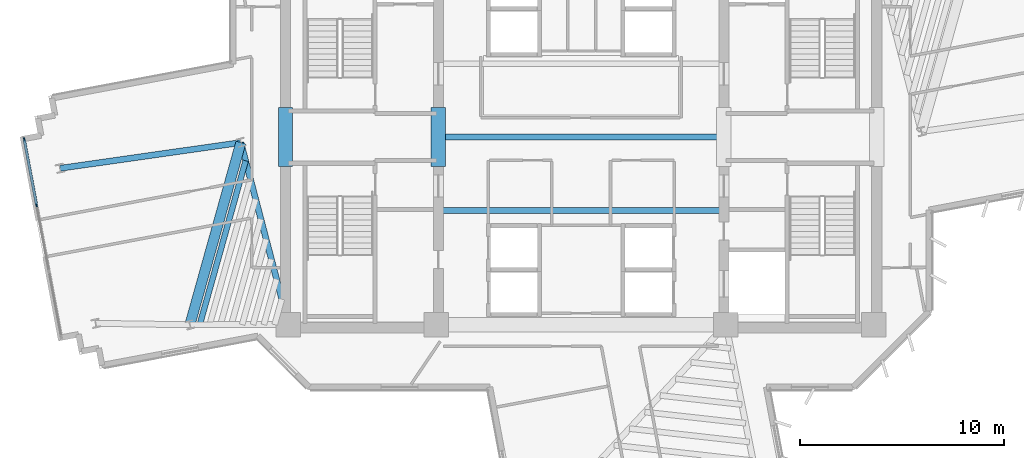
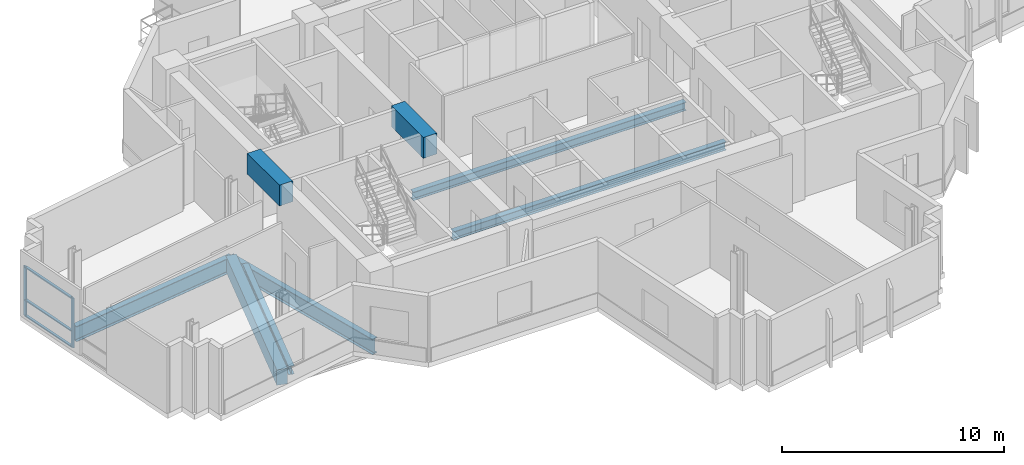
# One storey, part 4 of 16: 8 beams, 5 members, 1 element without a shape of its own.
"""IFC4 building model written with IfcOpenShell, lengths in metres."""

from ifc_helpers import new_model, si_unit, direction, frame, origin, origin_2d, place, context, subcontext, project, spatial, rectangle, i_section, extrude, source, transform, mapped, material, layer, layer_set, material_profile, profile_set, type_object, element, aggregate, save


model = new_model("IFC4")

# Units and contexts
model_context = context("Model", 3, precision=1e-05, world=origin(), true_north=direction((0.0, 1.0)))
body_context = subcontext(model_context, "Body", "Model", "MODEL_VIEW")
ifc_project = project(units=[si_unit("LENGTHUNIT", "METRE"), si_unit("AREAUNIT", "SQUARE_METRE"), si_unit("VOLUMEUNIT", "CUBIC_METRE"), si_unit("PLANEANGLEUNIT", "RADIAN"), si_unit("MASSUNIT", "GRAM", prefix="KILO")], contexts=[model_context])

# Site, building, storey
site_placement = place(None, origin())
site = spatial("IfcSite", under=ifc_project, at=site_placement, CompositionType="ELEMENT")
building_placement = place(site_placement, origin())
building = spatial("IfcBuilding", under=site, at=building_placement, Name="Zahravan Cultural Tower", CompositionType="ELEMENT")
storey_placement = place(building_placement, frame((0.0, 0.0, 147.300048828125)))
storey = spatial("IfcBuildingStorey", under=building, at=storey_placement, Name="L33", CompositionType="ELEMENT", Elevation=147.300048828125)

# Beams
ifc_material_1 = material(Name="Concrete C50/60", Category="concrete")
ifc_material_profile_1 = material_profile(ifc_material_1, rectangle(XDim=0.699951171875, YDim=1.14990234375, at=origin_2d()), Name="RC700X1150")
ifc_profile_set_1 = profile_set([ifc_material_profile_1], Name="Concrete C50/60")
beam_type_1 = type_object("IfcBeamType", Name="BM-LN-RC700X1150", PredefinedType="LINTEL", material=ifc_profile_set_1)
shared_shape_1 = source(origin(), body_context, "Body", "SweptSolid", [
    extrude(rectangle(XDim=0.699951171875, YDim=1.14990234375, at=origin_2d()), origin(), (0.0, 0.0, 1.0), 2.89990234375),
])
for number, where, z_axis, x_axis, name in (
    (1, (21.5, 25.550048828125, 3.044921875), (0.0, 1.0, 0.0), (-1.0, 0.0, 0.0), "L33 Beam LN-L33-PWW"),
    (2, (29.0, 25.550048828125, 3.044921875), (0.0, 1.0, 0.0), (-1.0, 0.0, 0.0), "L33 Beam LN-L33-PWE"),
):
    element("IfcBeam", number, at=place(storey_placement, frame(where, z_axis=z_axis, x_axis=x_axis)), inside=storey, type_object=beam_type_1, Name=name, PredefinedType="LINTEL", context=body_context, shape_type="MappedRepresentation", body=[
        mapped(shared_shape_1, transform((0.0, 0.0, 0.0), x_axis=(1.0, 0.0, 0.0), y_axis=(0.0, 1.0, 0.0), z_axis=(0.0, 0.0, 1.0), scale=1.0)),
    ])
ifc_material_profile_2 = material_profile(ifc_material_1, rectangle(XDim=0.5, YDim=0.85009765625, at=origin_2d()), Name="RC500X850")
ifc_profile_set_2 = profile_set([ifc_material_profile_2], Name="Concrete C50/60")
beam_type_2 = type_object("IfcBeamType", Name="BM-SP-RC500X850", PredefinedType="SPANDREL", material=ifc_profile_set_2)
shared_shape_2 = source(origin(), body_context, "Body", "SweptSolid", [
    extrude(rectangle(XDim=0.5, YDim=0.85009765625, at=origin_2d()), origin(), (0.0, 0.0, 1.0), 9.2783203125),
])
beam_1_placement = place(storey_placement, frame((19.315673828125, 26.72900390625, -0.705078125), z_axis=(-0.269497187032, -0.963001176625, 0.0), x_axis=(0.963001176625, -0.269497187032, 0.0)))
element("IfcBeam", 3, at=beam_1_placement, inside=storey, type_object=beam_type_2, Name="L33 Beam SP-L33-19", PredefinedType="SPANDREL", context=body_context, shape_type="MappedRepresentation", body=[
    mapped(shared_shape_2, transform((0.0, 0.0, 0.0), x_axis=(1.0, 0.0, 0.0), y_axis=(0.0, 1.0, 0.0), z_axis=(0.0, 0.0, 1.0), scale=1.0)),
])
ifc_material_2 = material(Name="Steel ASTM A992 Grade 50", Category="steel")
ifc_material_profile_3 = material_profile(ifc_material_2, i_section(OverallWidth=0.29296875, OverallDepth=0.845947265625, WebThickness=0.015380859375, FlangeThickness=0.0244140625, FilletRadius=0.02001953125, at=origin_2d()), Name="W33X141")
ifc_profile_set_3 = profile_set([ifc_material_profile_3], Name="Steel ASTM A992 Grade 50")
beam_type_3 = type_object("IfcBeamType", Name="BM-G-W33X141", PredefinedType="BEAM", material=ifc_profile_set_3)
shared_shape_3 = source(origin(), body_context, "Body", "SweptSolid", [
    extrude(i_section(OverallWidth=0.29296875, OverallDepth=0.845947265625, WebThickness=0.015380859375, FlangeThickness=0.0244140625, FilletRadius=0.02001953125, at=origin_2d()), origin(), (0.0, 0.0, 1.0), 9.22900390625),
])
beam_2_placement = place(storey_placement, frame((21.64990234375, 17.800048828125, -0.703125), z_axis=(-0.252922608408, 0.967486513682, 0.0), x_axis=(-0.967486513682, -0.252922608408, 0.0)))
element("IfcBeam", 4, at=beam_2_placement, inside=storey, type_object=beam_type_3, Name="L33 Beam BG-L33-07", PredefinedType="BEAM", context=body_context, shape_type="MappedRepresentation", body=[
    mapped(shared_shape_3, transform((0.0, 0.0, 0.0), x_axis=(1.0, 0.0, 0.0), y_axis=(0.0, 1.0, 0.0), z_axis=(0.0, 0.0, 1.0), scale=1.0)),
])
shared_shape_4 = source(origin(), body_context, "Body", "SweptSolid", [
    extrude(i_section(OverallWidth=0.29296875, OverallDepth=0.845947265625, WebThickness=0.015380859375, FlangeThickness=0.0244140625, FilletRadius=0.02001953125, at=origin_2d()), origin(), (0.0, 0.0, 1.0), 8.9580078125),
])
beam_3_placement = place(storey_placement, frame((19.315673828125, 26.72900390625, -0.703125), z_axis=(-0.990000122431, -0.141066500584, 0.0), x_axis=(0.141066500584, -0.990000122431, 0.0)))
element("IfcBeam", 5, at=beam_3_placement, inside=storey, type_object=beam_type_3, Name="L33 Beam BG-L33-17", PredefinedType="BEAM", context=body_context, shape_type="MappedRepresentation", body=[
    mapped(shared_shape_4, transform((0.0, 0.0, 0.0), x_axis=(1.0, 0.0, 0.0), y_axis=(0.0, 1.0, 0.0), z_axis=(0.0, 0.0, 1.0), scale=1.0)),
])
ifc_material_profile_4 = material_profile(ifc_material_2, i_section(OverallWidth=0.280029296875, OverallDepth=0.462890625, WebThickness=0.0107421875, FlangeThickness=0.017333984375, FilletRadius=0.012939453125, at=origin_2d()), Name="W18X76")
ifc_profile_set_4 = profile_set([ifc_material_profile_4], Name="Steel ASTM A992 Grade 50")
beam_type_4 = type_object("IfcBeamType", Name="BM-J-W18X76", PredefinedType="JOIST", material=ifc_profile_set_4)
shared_shape_5 = source(origin(), body_context, "Body", "SweptSolid", [
    extrude(i_section(OverallWidth=0.280029296875, OverallDepth=0.462890625, WebThickness=0.0107421875, FlangeThickness=0.017333984375, FilletRadius=0.012939453125, at=origin_2d()), origin(), (0.0, 0.0, 1.0), 14.2001953125),
])
for number, where, z_axis, x_axis, name in (
    (6, (28.89990234375, 23.39990234375, -0.511474609375), (1.0, 0.0, 0.0), (0.0, 1.0, 0.0), "L33 Beam BJ-L33-23"),
    (7, (28.89990234375, 27.0, -0.511474609375), (1.0, 0.0, 0.0), (0.0, 1.0, 0.0), "L33 Beam BJ-L33-24"),
):
    element("IfcBeam", number, at=place(storey_placement, frame(where, z_axis=z_axis, x_axis=x_axis)), inside=storey, type_object=beam_type_4, Name=name, PredefinedType="JOIST", context=body_context, shape_type="MappedRepresentation", body=[
        mapped(shared_shape_5, transform((0.0, 0.0, 0.0), x_axis=(1.0, 0.0, 0.0), y_axis=(0.0, 1.0, 0.0), z_axis=(0.0, 0.0, 1.0), scale=1.0)),
    ])
shared_shape_6 = source(origin(), body_context, "Body", "SweptSolid", [
    extrude(i_section(OverallWidth=0.280029296875, OverallDepth=0.462890625, WebThickness=0.0107421875, FlangeThickness=0.017333984375, FilletRadius=0.012939453125, at=origin_2d()), origin(), (0.0, 0.0, 1.0), 8.350830078125),
])
beam_4_placement = place(storey_placement, frame((19.549072265625, 25.836181640625, -0.511474609375), z_axis=(-0.269496539555, -0.963001357822, 0.0), x_axis=(0.963001357822, -0.269496539555, 0.0)))
element("IfcBeam", 8, at=beam_4_placement, inside=storey, type_object=beam_type_4, Name="L33 Beam BJ-L33-33", PredefinedType="JOIST", context=body_context, shape_type="MappedRepresentation", body=[
    mapped(shared_shape_6, transform((0.0, 0.0, 0.0), x_axis=(1.0, 0.0, 0.0), y_axis=(0.0, 1.0, 0.0), z_axis=(0.0, 0.0, 1.0), scale=1.0)),
])

# Curtain wall, members
ifc_material_3 = material(Name="Anodised bronze-aluminium mullion", Category="aluminium")
ifc_layer = layer(ifc_material_3, 0.1650390625)
ifc_layer_set = layer_set([ifc_layer], Name="Anodised bronze-aluminium mullion")
curtain_wall_type = type_object("IfcCurtainWallType", Name="CW-SYS-4", PredefinedType="USERDEFINED", material=ifc_layer_set)
curtain_wall_placement = place(storey_placement, origin())
curtain_wall = element("IfcCurtainWall", 9, at=curtain_wall_placement, inside=storey, type_object=curtain_wall_type, Name="L33 Recessed Curtain Wall CW-4.2", ObjectType="RECESSED GLAZING", PredefinedType="USERDEFINED")
ifc_material_profile_5 = material_profile(ifc_material_3, rectangle(XDim=0.06494140625, YDim=0.1650390625, at=origin_2d()), Name="AL-M65X165")
ifc_profile_set_5 = profile_set([ifc_material_profile_5], Name="Anodised bronze-aluminium mullion")
member_type_1 = type_object("IfcMemberType", Name="CWM-CW-4", PredefinedType="MULLION", material=ifc_profile_set_5)
shared_shape_7 = source(origin(), body_context, "Body", "SweptSolid", [
    extrude(rectangle(XDim=0.06494140625, YDim=0.1650390625, at=origin_2d()), origin(), (0.0, 0.0, 1.0), 2.739990234375),
])
member_1_placement = place(storey_placement, frame((9.296630859375, 23.66552734375, 0.0), z_axis=(0.0, 0.0, 1.0), x_axis=(-0.982806619389, -0.184637885835, 0.0)))
member_1 = element("IfcMember", 10, at=member_1_placement, type_object=member_type_1, Name="CW-4 mullion 3", PredefinedType="MULLION", context=body_context, shape_type="MappedRepresentation", body=[
    mapped(shared_shape_7, transform((0.0, 0.0, 0.0), x_axis=(1.0, 0.0, 0.0), y_axis=(0.0, 1.0, 0.0), z_axis=(0.0, 0.0, 1.0), scale=1.0)),
])
member_2_placement = place(storey_placement, frame((8.69189453125, 26.88330078125, 0.0), z_axis=(0.0, 0.0, 1.0), x_axis=(-0.982806619389, -0.184637885835, 0.0)))
member_2 = element("IfcMember", 11, at=member_2_placement, type_object=member_type_1, Name="CW-4 mullion 4", PredefinedType="MULLION", context=body_context, shape_type="MappedRepresentation", body=[
    mapped(shared_shape_7, transform((0.0, 0.0, 0.0), x_axis=(1.0, 0.0, 0.0), y_axis=(0.0, 1.0, 0.0), z_axis=(0.0, 0.0, 1.0), scale=1.0)),
])
ifc_material_profile_6 = material_profile(ifc_material_3, rectangle(XDim=0.1298828125, YDim=0.06494140625, at=origin_2d()), Name="AL-T65X130")
ifc_profile_set_6 = profile_set([ifc_material_profile_6], Name="Anodised bronze-aluminium mullion")
member_type_2 = type_object("IfcMemberType", Name="CWT-CW-4", PredefinedType="USERDEFINED", material=ifc_profile_set_6)
shared_shape_8 = source(origin(), body_context, "Body", "SweptSolid", [
    extrude(rectangle(XDim=0.1298828125, YDim=0.06494140625, at=origin_2d()), origin(), (0.0, 0.0, 1.0), 3.208984375),
])
member_3_placement = place(storey_placement, frame((9.29052734375, 23.697509765625, 0.032470703125), z_axis=(-0.184646817818, 0.982804941313, 0.0), x_axis=(-0.982804941313, -0.184646817818, 0.0)))
member_3 = element("IfcMember", 12, at=member_3_placement, type_object=member_type_2, Name="CW-4 transom 3.1", ObjectType="TRANSOM", PredefinedType="USERDEFINED", context=body_context, shape_type="MappedRepresentation", body=[
    mapped(shared_shape_8, transform((0.0, 0.0, 0.0), x_axis=(1.0, 0.0, 0.0), y_axis=(0.0, 1.0, 0.0), z_axis=(0.0, 0.0, 1.0), scale=1.0)),
])
member_4_placement = place(storey_placement, frame((9.29052734375, 23.697509765625, 0.89990234375), z_axis=(-0.184646817818, 0.982804941313, 0.0), x_axis=(-0.982804941313, -0.184646817818, 0.0)))
member_4 = element("IfcMember", 13, at=member_4_placement, type_object=member_type_2, Name="CW-4 transom 3.2", ObjectType="TRANSOM", PredefinedType="USERDEFINED", context=body_context, shape_type="MappedRepresentation", body=[
    mapped(shared_shape_8, transform((0.0, 0.0, 0.0), x_axis=(1.0, 0.0, 0.0), y_axis=(0.0, 1.0, 0.0), z_axis=(0.0, 0.0, 1.0), scale=1.0)),
])
member_5_placement = place(storey_placement, frame((9.29052734375, 23.697509765625, 2.70751953125), z_axis=(-0.184646817818, 0.982804941313, 0.0), x_axis=(-0.982804941313, -0.184646817818, 0.0)))
member_5 = element("IfcMember", 14, at=member_5_placement, type_object=member_type_2, Name="CW-4 transom 3.3", ObjectType="TRANSOM", PredefinedType="USERDEFINED", context=body_context, shape_type="MappedRepresentation", body=[
    mapped(shared_shape_8, transform((0.0, 0.0, 0.0), x_axis=(1.0, 0.0, 0.0), y_axis=(0.0, 1.0, 0.0), z_axis=(0.0, 0.0, 1.0), scale=1.0)),
])
aggregate(curtain_wall, [member_1, member_2, member_3, member_4, member_5])

save(model, "model.ifc")
